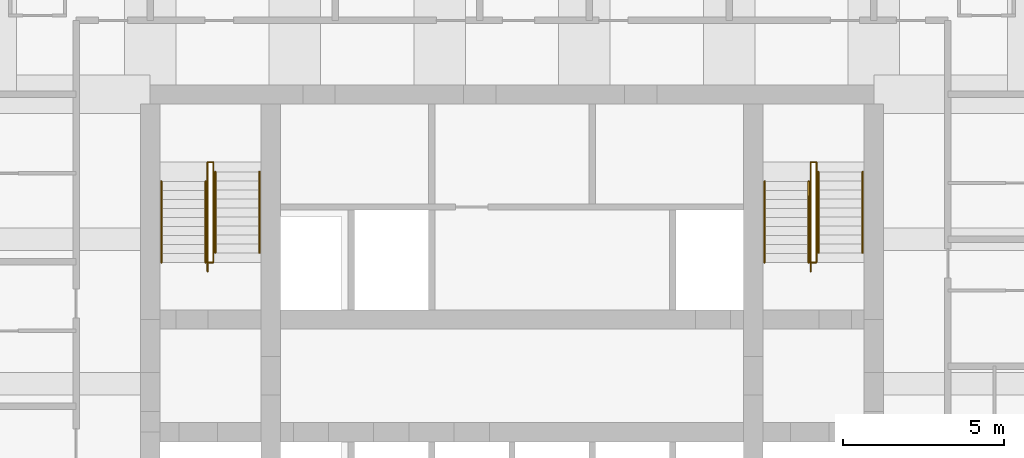
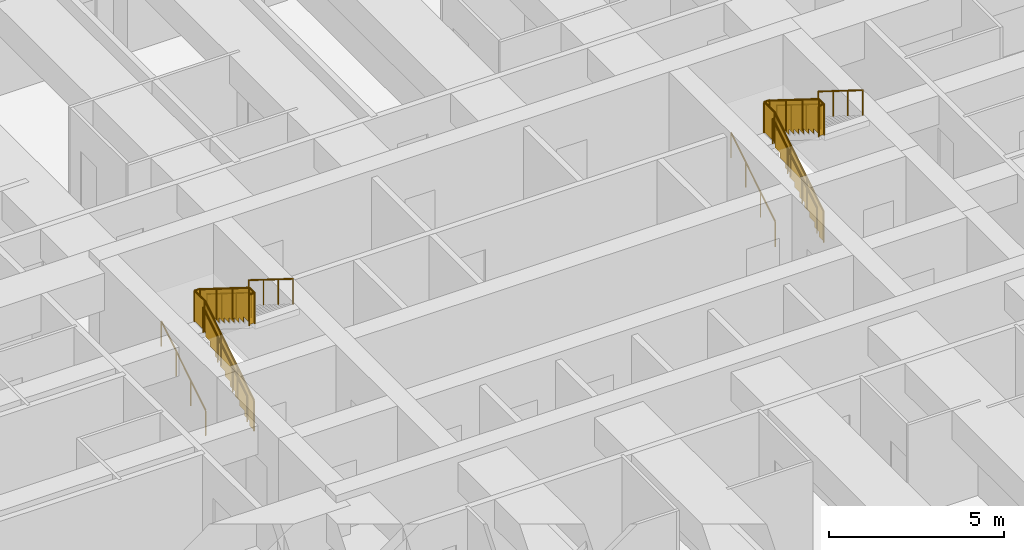
# One storey, part 8 of 8: 12 railings.
"""IFC4 building model written with IfcOpenShell, lengths in metres."""

from ifc_helpers import new_model, si_unit, direction, frame, origin, origin_2d, place, context, subcontext, project, spatial, polyline, circle, outline, extrude, material, type_object, element, save


model = new_model("IFC4")

# Units and contexts
model_context = context("Model", 3, precision=1e-05, world=origin(), true_north=direction((0.0, 1.0)))
body_context = subcontext(model_context, "Body", "Model", "MODEL_VIEW")
ifc_project = project(units=[si_unit("LENGTHUNIT", "METRE"), si_unit("AREAUNIT", "SQUARE_METRE"), si_unit("VOLUMEUNIT", "CUBIC_METRE"), si_unit("PLANEANGLEUNIT", "RADIAN"), si_unit("MASSUNIT", "GRAM", prefix="KILO")], contexts=[model_context])

# Site, building, storey
site_placement = place(None, origin())
site = spatial("IfcSite", under=ifc_project, at=site_placement, CompositionType="ELEMENT")
building_placement = place(site_placement, origin())
building = spatial("IfcBuilding", under=site, at=building_placement, Name="Kilele Tower Hotel", CompositionType="ELEMENT")
storey_placement = place(building_placement, frame((0.0, 0.0, 71.699951171875)))
storey = spatial("IfcBuildingStorey", under=building, at=storey_placement, Name="L17", CompositionType="ELEMENT", Elevation=71.699951171875)

# Railings
ifc_material_1 = material(Name="Steel handrail", Category="steel")
railing_type_1 = type_object("IfcRailingType", Name="Handrail 900", PredefinedType="HANDRAIL", material=ifc_material_1)
for number, where, name in (
    (1, (13.85009765625, 21.77490234375, 0.175048828125), "Handrail ST1 flight 1"),
    (2, (15.22509765625, 21.77490234375, 0.175048828125), "Handrail ST1 flight 1"),
):
    element("IfcRailing", number, at=place(storey_placement, frame(where)), inside=storey, type_object=railing_type_1, Name=name, PredefinedType="HANDRAIL", context=body_context, shape_type="SweptSolid", body=[
        extrude(circle(Radius=0.02490234375, at=origin_2d()), frame((0.0, 0.0, 0.875), z_axis=(0.0, 0.848007534815, 0.529984170421), x_axis=(-1.0, 0.0, 0.0)), (0.0, 0.0, 1.0), 2.9716796875),
        extrude(circle(Radius=0.02001953125, at=origin_2d()), origin(), (0.0, 0.0, 1.0), 0.849853515625),
        extrude(circle(Radius=0.02001953125, at=origin_2d()), frame((0.0, 0.840087890625, 0.52490234375)), (0.0, 0.0, 1.0), 0.849853515625),
        extrude(circle(Radius=0.02001953125, at=origin_2d()), frame((0.0, 1.679931640625, 1.050048828125)), (0.0, 0.0, 1.0), 0.849853515625),
        extrude(circle(Radius=0.02001953125, at=origin_2d()), frame((0.0, 2.52001953125, 1.574951171875)), (0.0, 0.0, 1.0), 0.849853515625),
    ])
for number, where, name in (
    (3, (15.52490234375, 24.594970703125, 1.925048828125), "Handrail ST1 flight 2"),
    (4, (16.89990234375, 24.594970703125, 1.925048828125), "Handrail ST1 flight 2"),
):
    element("IfcRailing", number, at=place(storey_placement, frame(where)), inside=storey, type_object=railing_type_1, Name=name, PredefinedType="HANDRAIL", context=body_context, shape_type="SweptSolid", body=[
        extrude(circle(Radius=0.02490234375, at=origin_2d()), frame((0.0, 0.0, 0.875), z_axis=(0.0, -0.848007534815, 0.529984170421), x_axis=(1.0, 0.0, 0.0)), (0.0, 0.0, 1.0), 2.9716796875),
        extrude(circle(Radius=0.02001953125, at=origin_2d()), origin(), (0.0, 0.0, 1.0), 0.849853515625),
        extrude(circle(Radius=0.02001953125, at=origin_2d()), frame((0.0, -0.840087890625, 0.52490234375)), (0.0, 0.0, 1.0), 0.849853515625),
        extrude(circle(Radius=0.02001953125, at=origin_2d()), frame((0.0, -1.679931640625, 1.050048828125)), (0.0, 0.0, 1.0), 0.849853515625),
        extrude(circle(Radius=0.02001953125, at=origin_2d()), frame((0.0, -2.52001953125, 1.574951171875)), (0.0, 0.0, 1.0), 0.849853515625),
    ])
for number, where, name in (
    (5, (32.60009765625, 21.77490234375, 0.175048828125), "Handrail ST2 flight 1"),
    (6, (33.97509765625, 21.77490234375, 0.175048828125), "Handrail ST2 flight 1"),
):
    element("IfcRailing", number, at=place(storey_placement, frame(where)), inside=storey, type_object=railing_type_1, Name=name, PredefinedType="HANDRAIL", context=body_context, shape_type="SweptSolid", body=[
        extrude(circle(Radius=0.02490234375, at=origin_2d()), frame((0.0, 0.0, 0.875), z_axis=(0.0, 0.848007534815, 0.529984170421), x_axis=(-1.0, 0.0, 0.0)), (0.0, 0.0, 1.0), 2.9716796875),
        extrude(circle(Radius=0.02001953125, at=origin_2d()), origin(), (0.0, 0.0, 1.0), 0.849853515625),
        extrude(circle(Radius=0.02001953125, at=origin_2d()), frame((0.0, 0.840087890625, 0.52490234375)), (0.0, 0.0, 1.0), 0.849853515625),
        extrude(circle(Radius=0.02001953125, at=origin_2d()), frame((0.0, 1.679931640625, 1.050048828125)), (0.0, 0.0, 1.0), 0.849853515625),
        extrude(circle(Radius=0.02001953125, at=origin_2d()), frame((0.0, 2.52001953125, 1.574951171875)), (0.0, 0.0, 1.0), 0.849853515625),
    ])
for number, where, name in (
    (7, (34.27490234375, 24.594970703125, 1.925048828125), "Handrail ST2 flight 2"),
    (8, (35.64990234375, 24.594970703125, 1.925048828125), "Handrail ST2 flight 2"),
):
    element("IfcRailing", number, at=place(storey_placement, frame(where)), inside=storey, type_object=railing_type_1, Name=name, PredefinedType="HANDRAIL", context=body_context, shape_type="SweptSolid", body=[
        extrude(circle(Radius=0.02490234375, at=origin_2d()), frame((0.0, 0.0, 0.875), z_axis=(0.0, -0.848007534815, 0.529984170421), x_axis=(1.0, 0.0, 0.0)), (0.0, 0.0, 1.0), 2.9716796875),
        extrude(circle(Radius=0.02001953125, at=origin_2d()), origin(), (0.0, 0.0, 1.0), 0.849853515625),
        extrude(circle(Radius=0.02001953125, at=origin_2d()), frame((0.0, -0.840087890625, 0.52490234375)), (0.0, 0.0, 1.0), 0.849853515625),
        extrude(circle(Radius=0.02001953125, at=origin_2d()), frame((0.0, -1.679931640625, 1.050048828125)), (0.0, 0.0, 1.0), 0.849853515625),
        extrude(circle(Radius=0.02001953125, at=origin_2d()), frame((0.0, -2.52001953125, 1.574951171875)), (0.0, 0.0, 1.0), 0.849853515625),
    ])
ifc_material_2 = material(Name="Steel guard", Category="steel")
railing_type_2 = type_object("IfcRailingType", Name="Stair guard 1100", PredefinedType="GUARDRAIL", material=ifc_material_2)
railing_1_placement = place(storey_placement, frame((15.284912109375, 21.4951171875, 0.0)))
element("IfcRailing", 9, at=railing_1_placement, inside=storey, type_object=railing_type_2, Name="Stair well guard ST1 flight 1", PredefinedType="GUARDRAIL", context=body_context, shape_type="SweptSolid", body=[
    extrude(circle(Radius=0.02490234375, at=origin_2d()), frame((0.0, 0.0, 1.0751953125), z_axis=(0.0, 0.847981687118, 0.530025526095), x_axis=(-1.0, 0.0, 0.0)), (0.0, 0.0, 1.0), 3.3017578125),
    extrude(circle(Radius=0.02490234375, at=origin_2d()), frame((0.0, 2.7998046875, 2.8251953125), z_axis=(0.0, 1.0, 0.0), x_axis=(-1.0, 0.0, 0.0)), (0.0, 0.0, 1.0), 0.60009765625),
    extrude(circle(Radius=0.02490234375, at=origin_2d()), frame((0.0, 3.39990234375, 2.8251953125), z_axis=(1.0, 0.0, 0.0), x_axis=(0.0, 1.0, 0.0)), (0.0, 0.0, 1.0), 0.18017578125),
    extrude(circle(Radius=0.02490234375, at=origin_2d()), origin(), (0.0, 0.0, 1.0), 1.050048828125),
    extrude(circle(Radius=0.02490234375, at=origin_2d()), frame((0.0, 0.933349609375, 0.583251953125)), (0.0, 0.0, 1.0), 1.050048828125),
    extrude(circle(Radius=0.02490234375, at=origin_2d()), frame((0.0, 1.866455078125, 1.166748046875)), (0.0, 0.0, 1.0), 1.050048828125),
    extrude(circle(Radius=0.02490234375, at=origin_2d()), frame((0.0, 2.7998046875, 1.75)), (0.0, 0.0, 1.0), 1.050048828125),
    extrude(circle(Radius=0.02490234375, at=origin_2d()), frame((0.0, 3.39990234375, 1.75)), (0.0, 0.0, 1.0), 1.050048828125),
    extrude(circle(Radius=0.02490234375, at=origin_2d()), frame((0.18017578125, 3.39990234375, 1.75)), (0.0, 0.0, 1.0), 1.050048828125),
    extrude(outline(polyline([(0.012451171875, 0.030029296875), (0.25, 0.030029296875), (0.25, 0.205078125), (0.530029296875, 0.205078125), (0.530029296875, 0.380126953125), (0.809814453125, 0.380126953125), (0.809814453125, 0.554931640625), (1.08984375, 0.554931640625), (1.08984375, 0.72998046875), (1.369873046875, 0.72998046875), (1.369873046875, 0.905029296875), (1.64990234375, 0.905029296875), (1.64990234375, 1.080078125), (1.929931640625, 1.080078125), (1.929931640625, 1.255126953125), (2.209716796875, 1.255126953125), (2.209716796875, 1.429931640625), (2.48974609375, 1.429931640625), (2.48974609375, 1.60498046875), (2.769775390625, 1.60498046875), (2.769775390625, 1.780029296875), (2.787353515625, 1.780029296875), (2.787353515625, 2.787841796875), (0.012451171875, 1.053466796875), (0.012451171875, 0.030029296875)])), frame((-0.005859375, 0.0, 0.0), z_axis=(1.0, 0.0, 0.0), x_axis=(0.0, 1.0, 0.0)), (0.0, 0.0, 1.0), 0.011962890625),
    extrude(outline(polyline([(0.012451171875, 0.030029296875), (0.587646484375, 0.030029296875), (0.587646484375, 1.050048828125), (0.012451171875, 1.050048828125), (0.012451171875, 0.030029296875)])), frame((-0.005859375, 2.7998046875, 1.75), z_axis=(1.0, 0.0, 0.0), x_axis=(0.0, 1.0, 0.0)), (0.0, 0.0, 1.0), 0.011962890625),
    extrude(outline(polyline([(0.012451171875, 0.030029296875), (0.18017578125, 0.030029296875), (0.18017578125, 1.050048828125), (0.012451171875, 1.050048828125), (0.012451171875, 0.030029296875)])), frame((0.0, 3.40576171875, 1.75), z_axis=(0.0, -1.0, 0.0), x_axis=(1.0, 0.0, 0.0)), (0.0, 0.0, 1.0), 0.011962890625),
])
railing_2_placement = place(storey_placement, frame((15.465087890625, 24.89501953125, 1.75)))
element("IfcRailing", 10, at=railing_2_placement, inside=storey, type_object=railing_type_2, Name="Stair well guard ST1 flight 2", PredefinedType="GUARDRAIL", context=body_context, shape_type="SweptSolid", body=[
    extrude(circle(Radius=0.02490234375, at=origin_2d()), frame((0.0, 0.0, 1.0751953125), z_axis=(0.0, -1.0, 0.0), x_axis=(1.0, 0.0, 0.0)), (0.0, 0.0, 1.0), 0.02001953125),
    extrude(circle(Radius=0.02490234375, at=origin_2d()), frame((0.0, -0.02001953125, 1.0751953125), z_axis=(0.0, -0.848002457836, 0.529992293815), x_axis=(1.0, 0.0, 0.0)), (0.0, 0.0, 1.0), 3.302001953125),
    extrude(circle(Radius=0.02490234375, at=origin_2d()), frame((0.0, -2.820068359375, 2.8251953125), z_axis=(0.0, -1.0, 0.0), x_axis=(1.0, 0.0, 0.0)), (0.0, 0.0, 1.0), 0.300048828125),
    extrude(circle(Radius=0.02490234375, at=origin_2d()), frame((0.0, -3.1201171875, 2.8251953125), z_axis=(-1.0, 0.0, 0.0), x_axis=(0.0, -1.0, 0.0)), (0.0, 0.0, 1.0), 0.18017578125),
    extrude(circle(Radius=0.02490234375, at=origin_2d()), origin(), (0.0, 0.0, 1.0), 1.050048828125),
    extrude(circle(Radius=0.02490234375, at=origin_2d()), frame((0.0, -0.02001953125, 0.0)), (0.0, 0.0, 1.0), 1.050048828125),
    extrude(circle(Radius=0.02490234375, at=origin_2d()), frame((0.0, -0.953369140625, 0.583251953125)), (0.0, 0.0, 1.0), 1.050048828125),
    extrude(circle(Radius=0.02490234375, at=origin_2d()), frame((0.0, -1.88671875, 1.166748046875)), (0.0, 0.0, 1.0), 1.050048828125),
    extrude(circle(Radius=0.02490234375, at=origin_2d()), frame((0.0, -2.820068359375, 1.75)), (0.0, 0.0, 1.0), 1.050048828125),
    extrude(circle(Radius=0.02490234375, at=origin_2d()), frame((0.0, -3.1201171875, 1.75)), (0.0, 0.0, 1.0), 1.050048828125),
    extrude(circle(Radius=0.02490234375, at=origin_2d()), frame((-0.18017578125, -3.1201171875, 1.75)), (0.0, 0.0, 1.0), 1.050048828125),
    extrude(outline(polyline([(0.012451171875, 0.030029296875), (0.25, 0.030029296875), (0.25, 0.205078125), (0.530029296875, 0.205078125), (0.530029296875, 0.380126953125), (0.81005859375, 0.380126953125), (0.81005859375, 0.554931640625), (1.090087890625, 0.554931640625), (1.090087890625, 0.72998046875), (1.3701171875, 0.72998046875), (1.3701171875, 0.905029296875), (1.64990234375, 0.905029296875), (1.64990234375, 1.080078125), (1.929931640625, 1.080078125), (1.929931640625, 1.255126953125), (2.2099609375, 1.255126953125), (2.2099609375, 1.429931640625), (2.489990234375, 1.429931640625), (2.489990234375, 1.60498046875), (2.77001953125, 1.60498046875), (2.77001953125, 1.780029296875), (2.78759765625, 1.780029296875), (2.78759765625, 2.787841796875), (0.012451171875, 1.053466796875), (0.012451171875, 0.030029296875)])), frame((0.005859375, -0.02001953125, 0.0), z_axis=(-1.0, 0.0, 0.0), x_axis=(0.0, -1.0, 0.0)), (0.0, 0.0, 1.0), 0.011962890625),
    extrude(outline(polyline([(0.012451171875, 0.030029296875), (0.28759765625, 0.030029296875), (0.28759765625, 1.050048828125), (0.012451171875, 1.050048828125), (0.012451171875, 0.030029296875)])), frame((0.005859375, -2.820068359375, 1.75), z_axis=(-1.0, 0.0, 0.0), x_axis=(0.0, -1.0, 0.0)), (0.0, 0.0, 1.0), 0.011962890625),
    extrude(outline(polyline([(0.012451171875, 0.030029296875), (0.18017578125, 0.030029296875), (0.18017578125, 1.050048828125), (0.012451171875, 1.050048828125), (0.012451171875, 0.030029296875)])), frame((0.0, -3.1259765625, 1.75), z_axis=(0.0, 1.0, 0.0), x_axis=(-1.0, 0.0, 0.0)), (0.0, 0.0, 1.0), 0.011962890625),
])
railing_3_placement = place(storey_placement, frame((34.034912109375, 21.4951171875, 0.0)))
element("IfcRailing", 11, at=railing_3_placement, inside=storey, type_object=railing_type_2, Name="Stair well guard ST2 flight 1", PredefinedType="GUARDRAIL", context=body_context, shape_type="SweptSolid", body=[
    extrude(circle(Radius=0.02490234375, at=origin_2d()), frame((0.0, 0.0, 1.0751953125), z_axis=(0.0, 0.847981687118, 0.530025526095), x_axis=(-1.0, 0.0, 0.0)), (0.0, 0.0, 1.0), 3.3017578125),
    extrude(circle(Radius=0.02490234375, at=origin_2d()), frame((0.0, 2.7998046875, 2.8251953125), z_axis=(0.0, 1.0, 0.0), x_axis=(-1.0, 0.0, 0.0)), (0.0, 0.0, 1.0), 0.60009765625),
    extrude(circle(Radius=0.02490234375, at=origin_2d()), frame((0.0, 3.39990234375, 2.8251953125), z_axis=(1.0, 0.0, 0.0), x_axis=(0.0, 1.0, 0.0)), (0.0, 0.0, 1.0), 0.18017578125),
    extrude(circle(Radius=0.02490234375, at=origin_2d()), origin(), (0.0, 0.0, 1.0), 1.050048828125),
    extrude(circle(Radius=0.02490234375, at=origin_2d()), frame((0.0, 0.933349609375, 0.583251953125)), (0.0, 0.0, 1.0), 1.050048828125),
    extrude(circle(Radius=0.02490234375, at=origin_2d()), frame((0.0, 1.866455078125, 1.166748046875)), (0.0, 0.0, 1.0), 1.050048828125),
    extrude(circle(Radius=0.02490234375, at=origin_2d()), frame((0.0, 2.7998046875, 1.75)), (0.0, 0.0, 1.0), 1.050048828125),
    extrude(circle(Radius=0.02490234375, at=origin_2d()), frame((0.0, 3.39990234375, 1.75)), (0.0, 0.0, 1.0), 1.050048828125),
    extrude(circle(Radius=0.02490234375, at=origin_2d()), frame((0.18017578125, 3.39990234375, 1.75)), (0.0, 0.0, 1.0), 1.050048828125),
    extrude(outline(polyline([(0.012451171875, 0.030029296875), (0.25, 0.030029296875), (0.25, 0.205078125), (0.530029296875, 0.205078125), (0.530029296875, 0.380126953125), (0.809814453125, 0.380126953125), (0.809814453125, 0.554931640625), (1.08984375, 0.554931640625), (1.08984375, 0.72998046875), (1.369873046875, 0.72998046875), (1.369873046875, 0.905029296875), (1.64990234375, 0.905029296875), (1.64990234375, 1.080078125), (1.929931640625, 1.080078125), (1.929931640625, 1.255126953125), (2.209716796875, 1.255126953125), (2.209716796875, 1.429931640625), (2.48974609375, 1.429931640625), (2.48974609375, 1.60498046875), (2.769775390625, 1.60498046875), (2.769775390625, 1.780029296875), (2.787353515625, 1.780029296875), (2.787353515625, 2.787841796875), (0.012451171875, 1.053466796875), (0.012451171875, 0.030029296875)])), frame((-0.005859375, 0.0, 0.0), z_axis=(1.0, 0.0, 0.0), x_axis=(0.0, 1.0, 0.0)), (0.0, 0.0, 1.0), 0.011962890625),
    extrude(outline(polyline([(0.012451171875, 0.030029296875), (0.587646484375, 0.030029296875), (0.587646484375, 1.050048828125), (0.012451171875, 1.050048828125), (0.012451171875, 0.030029296875)])), frame((-0.005859375, 2.7998046875, 1.75), z_axis=(1.0, 0.0, 0.0), x_axis=(0.0, 1.0, 0.0)), (0.0, 0.0, 1.0), 0.011962890625),
    extrude(outline(polyline([(0.012451171875, 0.030029296875), (0.18017578125, 0.030029296875), (0.18017578125, 1.050048828125), (0.012451171875, 1.050048828125), (0.012451171875, 0.030029296875)])), frame((0.0, 3.40576171875, 1.75), z_axis=(0.0, -1.0, 0.0), x_axis=(1.0, 0.0, 0.0)), (0.0, 0.0, 1.0), 0.011962890625),
])
railing_4_placement = place(storey_placement, frame((34.215087890625, 24.89501953125, 1.75)))
element("IfcRailing", 12, at=railing_4_placement, inside=storey, type_object=railing_type_2, Name="Stair well guard ST2 flight 2", PredefinedType="GUARDRAIL", context=body_context, shape_type="SweptSolid", body=[
    extrude(circle(Radius=0.02490234375, at=origin_2d()), frame((0.0, 0.0, 1.0751953125), z_axis=(0.0, -1.0, 0.0), x_axis=(1.0, 0.0, 0.0)), (0.0, 0.0, 1.0), 0.02001953125),
    extrude(circle(Radius=0.02490234375, at=origin_2d()), frame((0.0, -0.02001953125, 1.0751953125), z_axis=(0.0, -0.848002457836, 0.529992293815), x_axis=(1.0, 0.0, 0.0)), (0.0, 0.0, 1.0), 3.302001953125),
    extrude(circle(Radius=0.02490234375, at=origin_2d()), frame((0.0, -2.820068359375, 2.8251953125), z_axis=(0.0, -1.0, 0.0), x_axis=(1.0, 0.0, 0.0)), (0.0, 0.0, 1.0), 0.300048828125),
    extrude(circle(Radius=0.02490234375, at=origin_2d()), frame((0.0, -3.1201171875, 2.8251953125), z_axis=(-1.0, 0.0, 0.0), x_axis=(0.0, -1.0, 0.0)), (0.0, 0.0, 1.0), 0.18017578125),
    extrude(circle(Radius=0.02490234375, at=origin_2d()), origin(), (0.0, 0.0, 1.0), 1.050048828125),
    extrude(circle(Radius=0.02490234375, at=origin_2d()), frame((0.0, -0.02001953125, 0.0)), (0.0, 0.0, 1.0), 1.050048828125),
    extrude(circle(Radius=0.02490234375, at=origin_2d()), frame((0.0, -0.953369140625, 0.583251953125)), (0.0, 0.0, 1.0), 1.050048828125),
    extrude(circle(Radius=0.02490234375, at=origin_2d()), frame((0.0, -1.88671875, 1.166748046875)), (0.0, 0.0, 1.0), 1.050048828125),
    extrude(circle(Radius=0.02490234375, at=origin_2d()), frame((0.0, -2.820068359375, 1.75)), (0.0, 0.0, 1.0), 1.050048828125),
    extrude(circle(Radius=0.02490234375, at=origin_2d()), frame((0.0, -3.1201171875, 1.75)), (0.0, 0.0, 1.0), 1.050048828125),
    extrude(circle(Radius=0.02490234375, at=origin_2d()), frame((-0.18017578125, -3.1201171875, 1.75)), (0.0, 0.0, 1.0), 1.050048828125),
    extrude(outline(polyline([(0.012451171875, 0.030029296875), (0.25, 0.030029296875), (0.25, 0.205078125), (0.530029296875, 0.205078125), (0.530029296875, 0.380126953125), (0.81005859375, 0.380126953125), (0.81005859375, 0.554931640625), (1.090087890625, 0.554931640625), (1.090087890625, 0.72998046875), (1.3701171875, 0.72998046875), (1.3701171875, 0.905029296875), (1.64990234375, 0.905029296875), (1.64990234375, 1.080078125), (1.929931640625, 1.080078125), (1.929931640625, 1.255126953125), (2.2099609375, 1.255126953125), (2.2099609375, 1.429931640625), (2.489990234375, 1.429931640625), (2.489990234375, 1.60498046875), (2.77001953125, 1.60498046875), (2.77001953125, 1.780029296875), (2.78759765625, 1.780029296875), (2.78759765625, 2.787841796875), (0.012451171875, 1.053466796875), (0.012451171875, 0.030029296875)])), frame((0.005859375, -0.02001953125, 0.0), z_axis=(-1.0, 0.0, 0.0), x_axis=(0.0, -1.0, 0.0)), (0.0, 0.0, 1.0), 0.011962890625),
    extrude(outline(polyline([(0.012451171875, 0.030029296875), (0.28759765625, 0.030029296875), (0.28759765625, 1.050048828125), (0.012451171875, 1.050048828125), (0.012451171875, 0.030029296875)])), frame((0.005859375, -2.820068359375, 1.75), z_axis=(-1.0, 0.0, 0.0), x_axis=(0.0, -1.0, 0.0)), (0.0, 0.0, 1.0), 0.011962890625),
    extrude(outline(polyline([(0.012451171875, 0.030029296875), (0.18017578125, 0.030029296875), (0.18017578125, 1.050048828125), (0.012451171875, 1.050048828125), (0.012451171875, 0.030029296875)])), frame((0.0, -3.1259765625, 1.75), z_axis=(0.0, 1.0, 0.0), x_axis=(-1.0, 0.0, 0.0)), (0.0, 0.0, 1.0), 0.011962890625),
])

save(model, "model.ifc")
